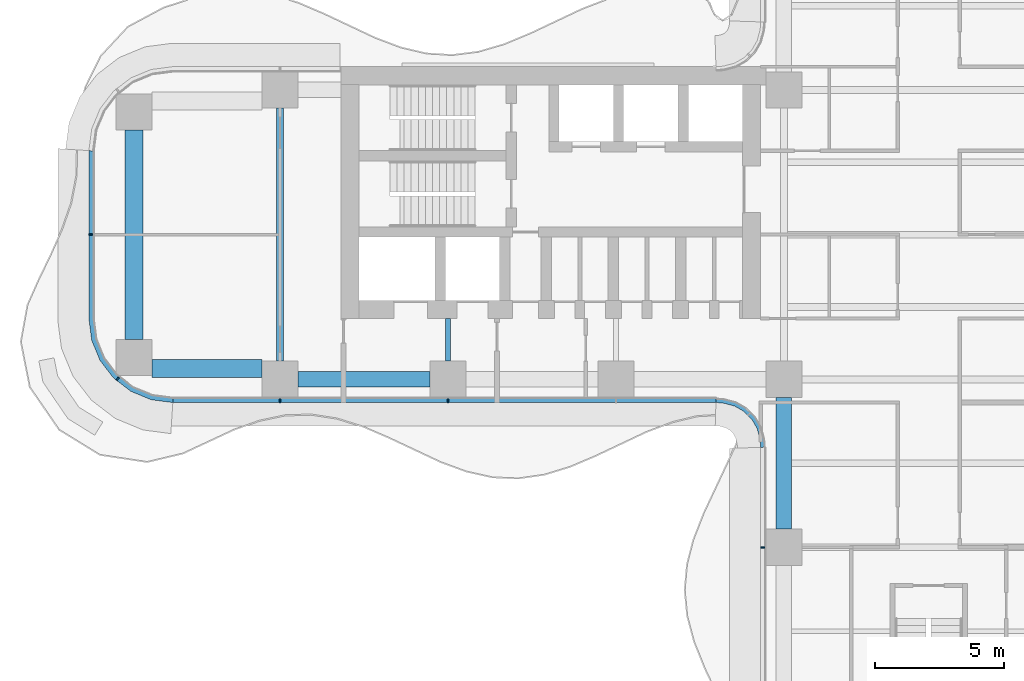
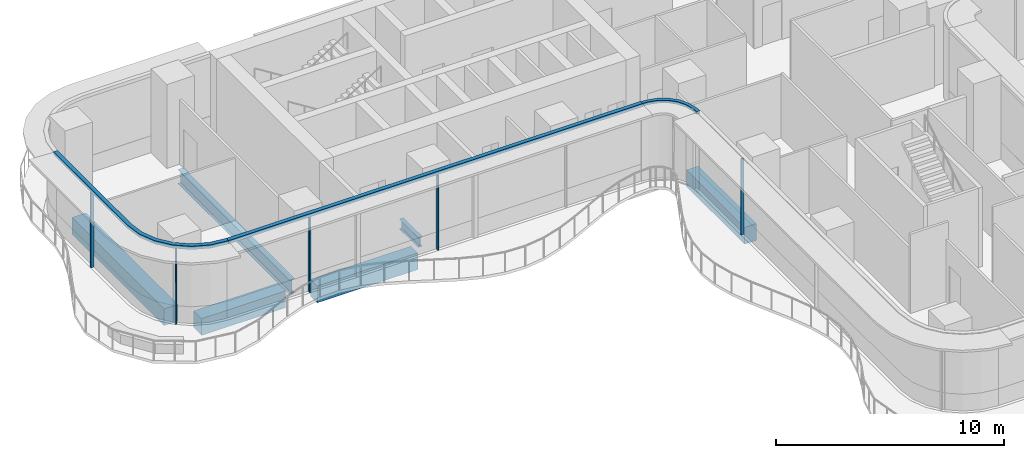
# One storey, part 3 of 23: 8 members, 6 beams, 4 elements without a shape of their own.
"""IFC4 building model written with IfcOpenShell, lengths in metres."""

from ifc_helpers import new_model, si_unit, direction, frame, origin, origin_2d, place, context, subcontext, project, spatial, polyline, rectangle, i_section, outline, extrude, source, transform, mapped, material, layer, layer_set, material_profile, profile_set, type_object, element, aggregate, save


model = new_model("IFC4")

# Units and contexts
model_context = context("Model", 3, precision=1e-05, world=origin(), true_north=direction((0.0, 1.0)))
body_context = subcontext(model_context, "Body", "Model", "MODEL_VIEW")
ifc_project = project(units=[si_unit("LENGTHUNIT", "METRE"), si_unit("AREAUNIT", "SQUARE_METRE"), si_unit("VOLUMEUNIT", "CUBIC_METRE"), si_unit("PLANEANGLEUNIT", "RADIAN"), si_unit("MASSUNIT", "GRAM", prefix="KILO")], contexts=[model_context])

# Site, building, storey
site_placement = place(None, origin())
site = spatial("IfcSite", under=ifc_project, at=site_placement, CompositionType="ELEMENT")
building_placement = place(site_placement, origin())
building = spatial("IfcBuilding", under=site, at=building_placement, Name="Trellis Farm Tower", CompositionType="ELEMENT")
storey_placement = place(building_placement, frame((0.0, 0.0, 74.5)))
storey = spatial("IfcBuildingStorey", under=building, at=storey_placement, Name="L15", CompositionType="ELEMENT", Elevation=74.5)

# Beams
ifc_material_1 = material(Name="Concrete C60/75", Category="concrete")
ifc_material_profile_1 = material_profile(ifc_material_1, rectangle(XDim=0.60009765625, YDim=0.89990234375, at=origin_2d()), Name="RC spandrel beam 600x900 C60/75")
ifc_profile_set_1 = profile_set([ifc_material_profile_1], Name="Concrete C60/75")
beam_type_1 = type_object("IfcBeamType", Name="RC spandrel beam 600x900 C60/75", PredefinedType="SPANDREL", material=ifc_profile_set_1)
shared_shape_1 = source(origin(), body_context, "Body", "SweptSolid", [
    extrude(rectangle(XDim=0.60009765625, YDim=0.89990234375, at=origin_2d()), origin(), (0.0, 0.0, 1.0), 5.099853515625),
])
for number, where, z_axis, x_axis, name in (
    (1, (-24.39990234375, -5.60009765625, -0.699951171875), (1.0, 0.0, 0.0), (0.0, 1.0, 0.0), "Girder"),
    (2, (-5.60009765625, -11.39990234375, -0.699951171875), (0.0, 1.0, 0.0), (-1.0, 0.0, 0.0), "Girder"),
):
    element("IfcBeam", number, at=place(storey_placement, frame(where, z_axis=z_axis, x_axis=x_axis)), inside=storey, type_object=beam_type_1, Name=name, PredefinedType="SPANDREL", context=body_context, shape_type="MappedRepresentation", body=[
        mapped(shared_shape_1, transform((0.0, 0.0, 0.0))),
    ])
ifc_material_2 = material(Name="Steel S355", Category="steel")
ifc_material_profile_2 = material_profile(ifc_material_2, i_section(OverallWidth=0.2666015625, OverallDepth=0.76220703125, WebThickness=0.014404296875, FlangeThickness=0.021484375, FilletRadius=0.0166015625, at=origin_2d()), Name="UB 762x267x173")
ifc_profile_set_2 = profile_set([ifc_material_profile_2], Name="Steel S355")
beam_type_2 = type_object("IfcBeamType", Name="UB 762x267x173", PredefinedType="BEAM", material=ifc_profile_set_2)
shared_shape_2 = source(origin(), body_context, "Body", "SweptSolid", [
    extrude(i_section(OverallWidth=0.2666015625, OverallDepth=0.76220703125, WebThickness=0.014404296875, FlangeThickness=0.021484375, FilletRadius=0.0166015625, at=origin_2d()), origin(), (0.0, 0.0, 1.0), 9.7998046875),
])
beam_1_placement = place(storey_placement, frame((-25.10009765625, -4.89990234375, -0.631103515625), z_axis=(0.0, 1.0, 0.0), x_axis=(-1.0, 0.0, 0.0)))
element("IfcBeam", 3, at=beam_1_placement, inside=storey, type_object=beam_type_2, Name="Girder", PredefinedType="BEAM", context=body_context, shape_type="MappedRepresentation", body=[
    mapped(shared_shape_2, transform((0.0, 0.0, 0.0))),
])
ifc_material_profile_3 = material_profile(ifc_material_1, rectangle(XDim=0.699951171875, YDim=0.89990234375, at=origin_2d()), Name="RC spandrel beam 700x900 C60/75")
ifc_profile_set_3 = profile_set([ifc_material_profile_3], Name="Concrete C60/75")
beam_type_3 = type_object("IfcBeamType", Name="RC spandrel beam 700x900 C60/75", PredefinedType="SPANDREL", material=ifc_profile_set_3)
shared_shape_3 = source(origin(), body_context, "Body", "SweptSolid", [
    extrude(rectangle(XDim=0.699951171875, YDim=0.89990234375, at=origin_2d()), origin(), (0.0, 0.0, 1.0), 4.25),
])
beam_2_placement = place(storey_placement, frame((-30.050048828125, -5.175048828125, -0.699951171875), z_axis=(1.0, 0.0, 0.0), x_axis=(0.0, 1.0, 0.0)))
element("IfcBeam", 4, at=beam_2_placement, inside=storey, type_object=beam_type_3, Name="Girder", PredefinedType="SPANDREL", context=body_context, shape_type="MappedRepresentation", body=[
    mapped(shared_shape_3, transform((0.0, 0.0, 0.0))),
])
shared_shape_4 = source(origin(), body_context, "Body", "SweptSolid", [
    extrude(rectangle(XDim=0.699951171875, YDim=0.89990234375, at=origin_2d()), origin(), (0.0, 0.0, 1.0), 8.10009765625),
])
beam_3_placement = place(storey_placement, frame((-30.75, -4.050048828125, -0.699951171875), z_axis=(0.0, 1.0, 0.0), x_axis=(-1.0, 0.0, 0.0)))
element("IfcBeam", 5, at=beam_3_placement, inside=storey, type_object=beam_type_3, Name="Girder", PredefinedType="SPANDREL", context=body_context, shape_type="MappedRepresentation", body=[
    mapped(shared_shape_4, transform((0.0, 0.0, 0.0))),
])
ifc_material_profile_4 = material_profile(ifc_material_2, i_section(OverallWidth=0.209228515625, OverallDepth=0.533203125, WebThickness=0.010009765625, FlangeThickness=0.015625, FilletRadius=0.0126953125, at=origin_2d()), Name="UB 533x210x92")
ifc_profile_set_4 = profile_set([ifc_material_profile_4], Name="Steel S355")
beam_type_4 = type_object("IfcBeamType", Name="UB 533x210x92", PredefinedType="BEAM", material=ifc_profile_set_4)
shared_shape_5 = source(origin(), body_context, "Body", "SweptSolid", [
    extrude(i_section(OverallWidth=0.209228515625, OverallDepth=0.533203125, WebThickness=0.010009765625, FlangeThickness=0.015625, FilletRadius=0.0126953125, at=origin_2d()), origin(), (0.0, 0.0, 1.0), 1.64990234375),
])
beam_4_placement = place(storey_placement, frame((-18.60009765625, -4.89990234375, -0.5166015625), z_axis=(0.0, 1.0, 0.0), x_axis=(-1.0, 0.0, 0.0)))
element("IfcBeam", 6, at=beam_4_placement, inside=storey, type_object=beam_type_4, Name="Girder", PredefinedType="BEAM", context=body_context, shape_type="MappedRepresentation", body=[
    mapped(shared_shape_5, transform((0.0, 0.0, 0.0))),
])

# Curtain wall, members
ifc_material_3 = material(Name="Aluminium and glass curtain wall", Category="aluminium")
ifc_layer_1 = layer(ifc_material_3, 0.18994140625)
ifc_layer_set_1 = layer_set([ifc_layer_1], Name="RIBBON CURTAIN WALL CW1")
curtain_wall_type_1 = type_object("IfcCurtainWallType", Name="RIBBON CURTAIN WALL CW1", PredefinedType="NOTDEFINED", material=ifc_layer_set_1)
placement_1 = place(storey_placement, origin())
curtain_wall_1 = element("IfcCurtainWall", 7, at=placement_1, inside=storey, type_object=curtain_wall_type_1, Name="CW1 001", PredefinedType="NOTDEFINED")
ifc_material_4 = material(Name="Aluminium extrusion 6063-T6", Category="aluminium")
ifc_material_profile_5 = material_profile(ifc_material_4, rectangle(XDim=0.06005859375, YDim=0.14990234375, at=origin_2d()), Name="MULLION 60x150")
ifc_profile_set_5 = profile_set([ifc_material_profile_5], Name="Aluminium extrusion 6063-T6")
member_type_1 = type_object("IfcMemberType", Name="CW1 MULLION 60x150", PredefinedType="MULLION", material=ifc_profile_set_5)
shared_shape_6 = source(origin(), body_context, "Body", "SweptSolid", [
    extrude(rectangle(XDim=0.06005859375, YDim=0.14990234375, at=origin_2d()), origin(), (0.0, 0.0, 1.0), 4.070068359375),
])
member_1_placement = place(storey_placement, frame((-25.10009765625, -6.425048828125, 0.0), z_axis=(0.0, 0.0, 1.0), x_axis=(1.0, 0.0, 0.0)))
member_1 = element("IfcMember", 8, at=member_1_placement, type_object=member_type_1, Name="MU1 001-01", PredefinedType="MULLION", context=body_context, shape_type="MappedRepresentation", body=[
    mapped(shared_shape_6, transform((0.0, 0.0, 0.0))),
])
member_2_placement = place(storey_placement, frame((-18.60009765625, -6.425048828125, 0.0), z_axis=(0.0, 0.0, 1.0), x_axis=(1.0, 0.0, 0.0)))
member_2 = element("IfcMember", 9, at=member_2_placement, type_object=member_type_1, Name="MU1 001-02", PredefinedType="MULLION", context=body_context, shape_type="MappedRepresentation", body=[
    mapped(shared_shape_6, transform((0.0, 0.0, 0.0))),
])

# Curtain wall, member
curtain_wall_2 = element("IfcCurtainWall", 10, at=placement_1, inside=storey, type_object=curtain_wall_type_1, Name="CW1 002", PredefinedType="NOTDEFINED")
member_3_placement = place(storey_placement, frame((-6.425048828125, -12.10009765625, 0.0), z_axis=(0.0, 0.0, 1.0), x_axis=(0.0, -1.0, 0.0)))
member_3 = element("IfcMember", 11, at=member_3_placement, type_object=member_type_1, Name="MU1 002-01", PredefinedType="MULLION", context=body_context, shape_type="MappedRepresentation", body=[
    mapped(shared_shape_6, transform((0.0, 0.0, 0.0))),
])
aggregate(curtain_wall_2, [member_3])

# Curtain wall, members
curtain_wall_3 = element("IfcCurtainWall", 12, at=placement_1, inside=storey, type_object=curtain_wall_type_1, Name="CW1 013", PredefinedType="NOTDEFINED")
member_4_placement = place(storey_placement, frame((-32.425048828125, 0.0, 0.0), z_axis=(0.0, 0.0, 1.0), x_axis=(0.0, -1.0, 0.0)))
member_4 = element("IfcMember", 13, at=member_4_placement, type_object=member_type_1, Name="MU1 013-01", PredefinedType="MULLION", context=body_context, shape_type="MappedRepresentation", body=[
    mapped(shared_shape_6, transform((0.0, 0.0, 0.0))),
])
member_5_placement = place(storey_placement, frame((-31.385498046875, -5.578369140625, 0.0), z_axis=(0.0, 0.0, 1.0), x_axis=(0.793353340291, -0.608761429009, 0.0)))
member_5 = element("IfcMember", 14, at=member_5_placement, type_object=member_type_1, Name="MU1 013-02", PredefinedType="MULLION", context=body_context, shape_type="MappedRepresentation", body=[
    mapped(shared_shape_6, transform((0.0, 0.0, 0.0))),
])

# Member
ifc_layer_2 = layer(ifc_material_4, 0.199951171875)
ifc_layer_set_2 = layer_set([ifc_layer_2], Name="Aluminium extrusion 6063-T6")
member_type_2 = type_object("IfcMemberType", Name="CW1 TRANSOM 200x180", PredefinedType="USERDEFINED", material=ifc_layer_set_2)
shared_shape_7 = source(origin(), body_context, "Body", "SweptSolid", [
    extrude(outline(polyline([(-29.25, -6.5), (-8.2314453125, -6.5), (-8.224853515625, -6.300048828125), (-29.23681640625, -6.300048828125), (-29.25, -6.5)])), origin(), (0.0, 0.0, 1.0), 0.179931640625),
])
placement_2 = place(storey_placement, frame((0.0, 0.0, 4.070068359375)))
member_6 = element("IfcMember", 15, at=placement_2, type_object=member_type_2, Name="TR1 001", ObjectType="TRANSOM", PredefinedType="USERDEFINED", context=body_context, shape_type="MappedRepresentation", body=[
    mapped(shared_shape_7, transform((0.0, 0.0, 0.0))),
])

aggregate(curtain_wall_1, [member_1, member_2, member_6])

# Curtain wall, member
ifc_layer_3 = layer(ifc_material_3, 0.166015625)
ifc_layer_set_3 = layer_set([ifc_layer_3], Name="WINTER GARDEN CURTAIN WALL CW3")
curtain_wall_type_2 = type_object("IfcCurtainWallType", Name="WINTER GARDEN CURTAIN WALL CW3", PredefinedType="NOTDEFINED", material=ifc_layer_set_3)
curtain_wall_4 = element("IfcCurtainWall", 16, at=placement_1, inside=storey, type_object=curtain_wall_type_2, Name="CW3 001", PredefinedType="NOTDEFINED")
ifc_layer_4 = layer(ifc_material_4, 0.169921875)
ifc_layer_set_4 = layer_set([ifc_layer_4], Name="Aluminium extrusion 6063-T6")
member_type_3 = type_object("IfcMemberType", Name="CW3 TRANSOM 170x150", PredefinedType="USERDEFINED", material=ifc_layer_set_4)
shared_shape_8 = source(origin(), body_context, "Body", "SweptSolid", [
    extrude(outline(polyline([(-8.2314453125, -6.5), (-8.01953125, -6.513916015625), (-7.91552734375, -6.527587890625), (-7.508544921875, -6.63671875), (-7.144287109375, -6.846923828125), (-6.846923828125, -7.144287109375), (-6.63671875, -7.508544921875), (-6.527587890625, -7.91552734375), (-6.513916015625, -8.01953125), (-6.5, -8.2314453125), (-6.330078125, -8.225830078125), (-6.3447265625, -8.0029296875), (-6.360595703125, -7.88232421875), (-6.478271484375, -7.44287109375), (-6.7109375, -7.0400390625), (-7.0400390625, -6.7109375), (-7.44287109375, -6.478271484375), (-7.88232421875, -6.360595703125), (-8.0029296875, -6.3447265625), (-8.225830078125, -6.330078125), (-8.2314453125, -6.5)])), origin(), (0.0, 0.0, 1.0), 0.14990234375),
])
member_7_placement = place(storey_placement, frame((0.0, 0.0, 4.10009765625)))
member_7 = element("IfcMember", 17, at=member_7_placement, type_object=member_type_3, Name="TR3 001", ObjectType="TRANSOM", PredefinedType="USERDEFINED", context=body_context, shape_type="MappedRepresentation", body=[
    mapped(shared_shape_8, transform((0.0, 0.0, 0.0))),
])
aggregate(curtain_wall_4, [member_7])

# Member
shared_shape_9 = source(origin(), body_context, "Body", "SweptSolid", [
    extrude(outline(polyline([(-32.5, 3.25), (-32.5, -3.25), (-32.38916015625, -4.091064453125), (-32.064697265625, -4.875), (-31.548095703125, -5.548095703125), (-30.875, -6.064697265625), (-30.091064453125, -6.38916015625), (-29.25, -6.5), (-29.23681640625, -6.300048828125), (-30.0390625, -6.1943359375), (-30.774169921875, -5.889892578125), (-31.405517578125, -5.405517578125), (-31.889892578125, -4.774169921875), (-32.1943359375, -4.0390625), (-32.300048828125, -3.23681640625), (-32.300048828125, 3.23681640625), (-32.5, 3.25)])), origin(), (0.0, 0.0, 1.0), 0.179931640625),
])
member_8 = element("IfcMember", 18, at=placement_2, type_object=member_type_2, Name="TR1 013", ObjectType="TRANSOM", PredefinedType="USERDEFINED", context=body_context, shape_type="MappedRepresentation", body=[
    mapped(shared_shape_9, transform((0.0, 0.0, 0.0))),
])

aggregate(curtain_wall_3, [member_4, member_5, member_8])

save(model, "model.ifc")
